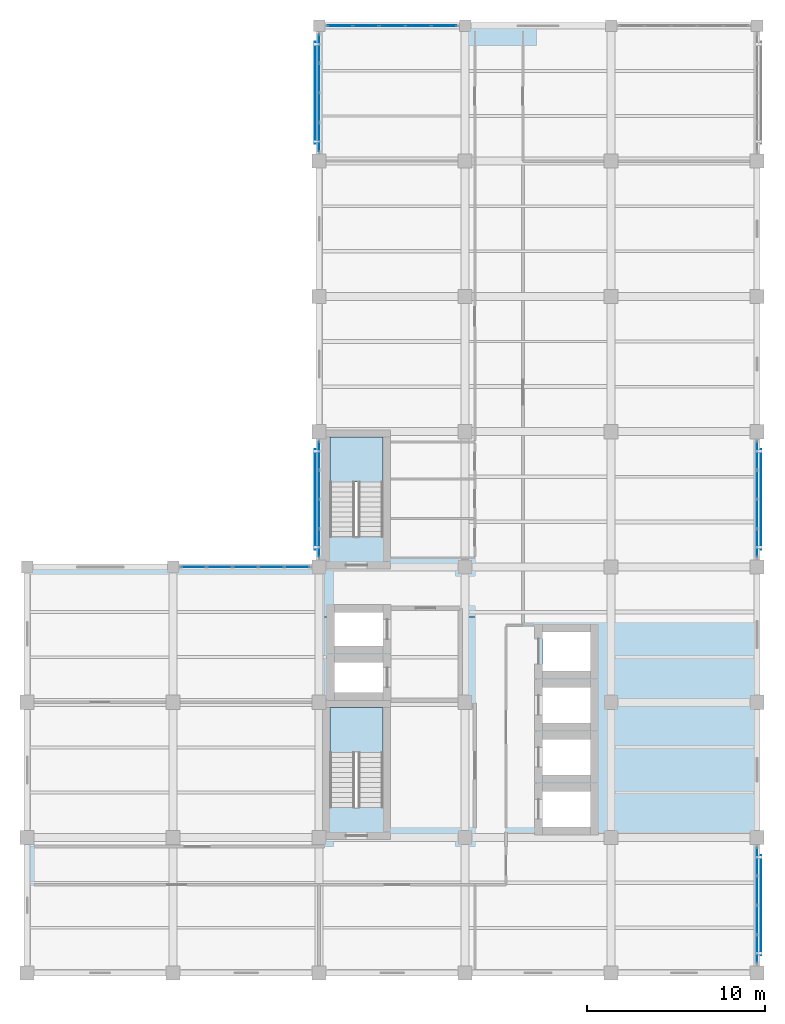
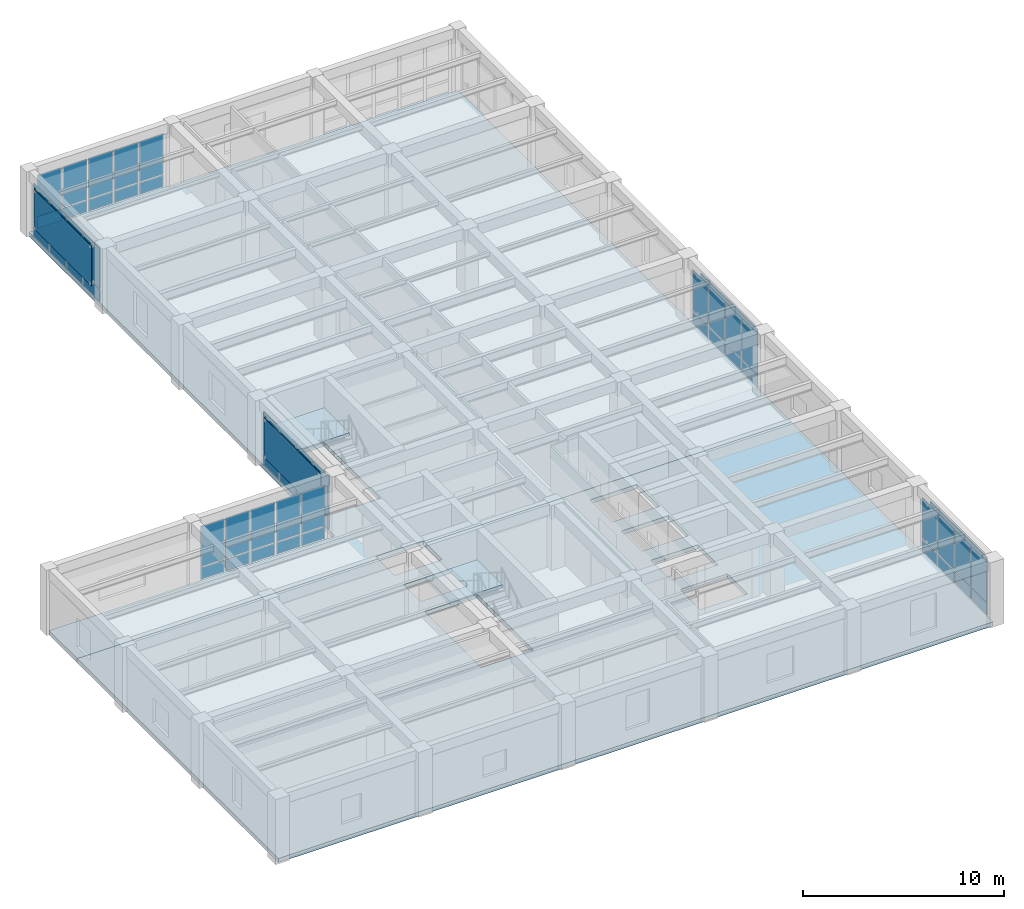
# One storey, part 6 of 14: 56 plates, 4 slabs, 8 elements without a shape of their own.
"""IFC4 building model written with IfcOpenShell, lengths in metres."""

from ifc_helpers import new_model, si_unit, direction, frame, origin, origin_2d, place, context, subcontext, project, spatial, polyline, rectangle, outline, extrude, material, layer, layer_set, type_object, element, aggregate, save


model = new_model("IFC4")

# Units and contexts
model_context = context("Model", 3, precision=1e-05, world=origin(), true_north=direction((0.0, 1.0)))
body_context = subcontext(model_context, "Body", "Model", "MODEL_VIEW")
ifc_project = project(units=[si_unit("LENGTHUNIT", "METRE"), si_unit("AREAUNIT", "SQUARE_METRE"), si_unit("VOLUMEUNIT", "CUBIC_METRE"), si_unit("PLANEANGLEUNIT", "RADIAN"), si_unit("MASSUNIT", "GRAM", prefix="KILO")], contexts=[model_context])

# Site, building, storey
site_placement = place(None, origin())
site = spatial("IfcSite", under=ifc_project, at=site_placement, CompositionType="ELEMENT")
building_placement = place(site_placement, origin())
building = spatial("IfcBuilding", under=site, at=building_placement, Name="Qandaris Square Conservatory and Botanical Centre", CompositionType="ELEMENT")
storey_placement = place(building_placement, frame((0.0, 0.0, 40.800048828125)))
storey = spatial("IfcBuildingStorey", under=building, at=storey_placement, Name="L09", CompositionType="ELEMENT", Elevation=40.800048828125)

# Curtain wall, plates
ifc_material_1 = material(Name="Anodised Aluminium", Category="aluminium")
curtain_wall_type_1 = type_object("IfcCurtainWallType", Name="Unitised Curtain Wall CW-4-660x334", PredefinedType="USERDEFINED", material=ifc_material_1)
curtain_wall_1_placement = place(storey_placement, origin())
curtain_wall_1 = element("IfcCurtainWall", 1, at=curtain_wall_1_placement, inside=storey, type_object=curtain_wall_type_1, Name="Curtain Wall CW-TWR-L09-2-1", ObjectType="GLAZED CURTAIN WALL", PredefinedType="USERDEFINED")
ifc_material_2 = material(Name="Tempered Low-E Glass", Category="glass")
ifc_layer_1 = layer(ifc_material_2, 0.035888671875)
ifc_layer_set_1 = layer_set([ifc_layer_1], Name="Tempered Low-E Glass")
plate_type_1 = type_object("IfcPlateType", Name="Double-Glazed Solar Control Vision Unit 36mm", PredefinedType="CURTAIN_PANEL", material=ifc_layer_set_1)
plate_1_placement = place(storey_placement, frame((163.800048828125, 17.941162109375, 0.06494140625), z_axis=(0.0, 0.0, 1.0), x_axis=(0.0, 1.0, 0.0)))
plate_1 = element("IfcPlate", 2, at=plate_1_placement, type_object=plate_type_1, Name="CW-4-660x334 panel 1.1", PredefinedType="CURTAIN_PANEL", context=body_context, shape_type="SweptSolid", body=[
    extrude(rectangle(XDim=1.552490234375, YDim=0.035888671875, at=origin_2d()), origin(), (0.0, 0.0, 1.0), 0.7041015625),
])
plate_2_placement = place(storey_placement, frame((163.800048828125, 17.941162109375, 0.833984375), z_axis=(0.0, 0.0, 1.0), x_axis=(0.0, 1.0, 0.0)))
plate_2 = element("IfcPlate", 3, at=plate_2_placement, type_object=plate_type_1, Name="CW-4-660x334 panel 1.2", PredefinedType="CURTAIN_PANEL", context=body_context, shape_type="SweptSolid", body=[
    extrude(rectangle(XDim=1.552490234375, YDim=0.035888671875, at=origin_2d()), origin(), (0.0, 0.0, 1.0), 2.44091796875),
])
plate_3_placement = place(storey_placement, frame((163.800048828125, 19.574951171875, 0.06494140625), z_axis=(0.0, 0.0, 1.0), x_axis=(0.0, 1.0, 0.0)))
plate_3 = element("IfcPlate", 4, at=plate_3_placement, type_object=plate_type_1, Name="CW-4-660x334 panel 2.1", PredefinedType="CURTAIN_PANEL", context=body_context, shape_type="SweptSolid", body=[
    extrude(rectangle(XDim=1.5849609375, YDim=0.035888671875, at=origin_2d()), origin(), (0.0, 0.0, 1.0), 0.7041015625),
])
plate_4_placement = place(storey_placement, frame((163.800048828125, 19.574951171875, 0.833984375), z_axis=(0.0, 0.0, 1.0), x_axis=(0.0, 1.0, 0.0)))
plate_4 = element("IfcPlate", 5, at=plate_4_placement, type_object=plate_type_1, Name="CW-4-660x334 panel 2.2", PredefinedType="CURTAIN_PANEL", context=body_context, shape_type="SweptSolid", body=[
    extrude(rectangle(XDim=1.5849609375, YDim=0.035888671875, at=origin_2d()), origin(), (0.0, 0.0, 1.0), 2.44091796875),
])
plate_5_placement = place(storey_placement, frame((163.800048828125, 21.22509765625, 0.06494140625), z_axis=(0.0, 0.0, 1.0), x_axis=(0.0, 1.0, 0.0)))
plate_5 = element("IfcPlate", 6, at=plate_5_placement, type_object=plate_type_1, Name="CW-4-660x334 panel 3.1", PredefinedType="CURTAIN_PANEL", context=body_context, shape_type="SweptSolid", body=[
    extrude(rectangle(XDim=1.5849609375, YDim=0.035888671875, at=origin_2d()), origin(), (0.0, 0.0, 1.0), 0.7041015625),
])
plate_6_placement = place(storey_placement, frame((163.800048828125, 21.22509765625, 0.833984375), z_axis=(0.0, 0.0, 1.0), x_axis=(0.0, 1.0, 0.0)))
plate_6 = element("IfcPlate", 7, at=plate_6_placement, type_object=plate_type_1, Name="CW-4-660x334 panel 3.2", PredefinedType="CURTAIN_PANEL", context=body_context, shape_type="SweptSolid", body=[
    extrude(rectangle(XDim=1.5849609375, YDim=0.035888671875, at=origin_2d()), origin(), (0.0, 0.0, 1.0), 2.44091796875),
])
plate_7_placement = place(storey_placement, frame((163.800048828125, 22.858642578125, 0.06494140625), z_axis=(0.0, 0.0, 1.0), x_axis=(0.0, 1.0, 0.0)))
plate_7 = element("IfcPlate", 8, at=plate_7_placement, type_object=plate_type_1, Name="CW-4-660x334 panel 4.1", PredefinedType="CURTAIN_PANEL", context=body_context, shape_type="SweptSolid", body=[
    extrude(rectangle(XDim=1.552490234375, YDim=0.035888671875, at=origin_2d()), origin(), (0.0, 0.0, 1.0), 0.7041015625),
])
plate_8_placement = place(storey_placement, frame((163.800048828125, 22.858642578125, 0.833984375), z_axis=(0.0, 0.0, 1.0), x_axis=(0.0, 1.0, 0.0)))
plate_8 = element("IfcPlate", 9, at=plate_8_placement, type_object=plate_type_1, Name="CW-4-660x334 panel 4.2", PredefinedType="CURTAIN_PANEL", context=body_context, shape_type="SweptSolid", body=[
    extrude(rectangle(XDim=1.552490234375, YDim=0.035888671875, at=origin_2d()), origin(), (0.0, 0.0, 1.0), 2.44091796875),
])
aggregate(curtain_wall_1, [plate_1, plate_2, plate_3, plate_4, plate_5, plate_6, plate_7, plate_8])

curtain_wall_2_placement = place(storey_placement, origin())
curtain_wall_2 = element("IfcCurtainWall", 10, at=curtain_wall_2_placement, inside=storey, type_object=curtain_wall_type_1, Name="Curtain Wall CW-TWR-L09-2-4", ObjectType="GLAZED CURTAIN WALL", PredefinedType="USERDEFINED")
plate_9_placement = place(storey_placement, frame((163.800048828125, 40.7412109375, 0.06494140625), z_axis=(0.0, 0.0, 1.0), x_axis=(0.0, 1.0, 0.0)))
plate_9 = element("IfcPlate", 11, at=plate_9_placement, type_object=plate_type_1, Name="CW-4-660x334 panel 1.1", PredefinedType="CURTAIN_PANEL", context=body_context, shape_type="SweptSolid", body=[
    extrude(rectangle(XDim=1.552490234375, YDim=0.035888671875, at=origin_2d()), origin(), (0.0, 0.0, 1.0), 0.7041015625),
])
plate_10_placement = place(storey_placement, frame((163.800048828125, 40.7412109375, 0.833984375), z_axis=(0.0, 0.0, 1.0), x_axis=(0.0, 1.0, 0.0)))
plate_10 = element("IfcPlate", 12, at=plate_10_placement, type_object=plate_type_1, Name="CW-4-660x334 panel 1.2", PredefinedType="CURTAIN_PANEL", context=body_context, shape_type="SweptSolid", body=[
    extrude(rectangle(XDim=1.552490234375, YDim=0.035888671875, at=origin_2d()), origin(), (0.0, 0.0, 1.0), 2.44091796875),
])
plate_11_placement = place(storey_placement, frame((163.800048828125, 42.375, 0.06494140625), z_axis=(0.0, 0.0, 1.0), x_axis=(0.0, 1.0, 0.0)))
plate_11 = element("IfcPlate", 13, at=plate_11_placement, type_object=plate_type_1, Name="CW-4-660x334 panel 2.1", PredefinedType="CURTAIN_PANEL", context=body_context, shape_type="SweptSolid", body=[
    extrude(rectangle(XDim=1.5849609375, YDim=0.035888671875, at=origin_2d()), origin(), (0.0, 0.0, 1.0), 0.7041015625),
])
plate_12_placement = place(storey_placement, frame((163.800048828125, 42.375, 0.833984375), z_axis=(0.0, 0.0, 1.0), x_axis=(0.0, 1.0, 0.0)))
plate_12 = element("IfcPlate", 14, at=plate_12_placement, type_object=plate_type_1, Name="CW-4-660x334 panel 2.2", PredefinedType="CURTAIN_PANEL", context=body_context, shape_type="SweptSolid", body=[
    extrude(rectangle(XDim=1.5849609375, YDim=0.035888671875, at=origin_2d()), origin(), (0.0, 0.0, 1.0), 2.44091796875),
])
plate_13_placement = place(storey_placement, frame((163.800048828125, 44.02490234375, 0.06494140625), z_axis=(0.0, 0.0, 1.0), x_axis=(0.0, 1.0, 0.0)))
plate_13 = element("IfcPlate", 15, at=plate_13_placement, type_object=plate_type_1, Name="CW-4-660x334 panel 3.1", PredefinedType="CURTAIN_PANEL", context=body_context, shape_type="SweptSolid", body=[
    extrude(rectangle(XDim=1.5849609375, YDim=0.035888671875, at=origin_2d()), origin(), (0.0, 0.0, 1.0), 0.7041015625),
])
plate_14_placement = place(storey_placement, frame((163.800048828125, 44.02490234375, 0.833984375), z_axis=(0.0, 0.0, 1.0), x_axis=(0.0, 1.0, 0.0)))
plate_14 = element("IfcPlate", 16, at=plate_14_placement, type_object=plate_type_1, Name="CW-4-660x334 panel 3.2", PredefinedType="CURTAIN_PANEL", context=body_context, shape_type="SweptSolid", body=[
    extrude(rectangle(XDim=1.5849609375, YDim=0.035888671875, at=origin_2d()), origin(), (0.0, 0.0, 1.0), 2.44091796875),
])
plate_15_placement = place(storey_placement, frame((163.800048828125, 45.65869140625, 0.06494140625), z_axis=(0.0, 0.0, 1.0), x_axis=(0.0, 1.0, 0.0)))
plate_15 = element("IfcPlate", 17, at=plate_15_placement, type_object=plate_type_1, Name="CW-4-660x334 panel 4.1", PredefinedType="CURTAIN_PANEL", context=body_context, shape_type="SweptSolid", body=[
    extrude(rectangle(XDim=1.552490234375, YDim=0.035888671875, at=origin_2d()), origin(), (0.0, 0.0, 1.0), 0.7041015625),
])
plate_16_placement = place(storey_placement, frame((163.800048828125, 45.65869140625, 0.833984375), z_axis=(0.0, 0.0, 1.0), x_axis=(0.0, 1.0, 0.0)))
plate_16 = element("IfcPlate", 18, at=plate_16_placement, type_object=plate_type_1, Name="CW-4-660x334 panel 4.2", PredefinedType="CURTAIN_PANEL", context=body_context, shape_type="SweptSolid", body=[
    extrude(rectangle(XDim=1.552490234375, YDim=0.035888671875, at=origin_2d()), origin(), (0.0, 0.0, 1.0), 2.44091796875),
])
aggregate(curtain_wall_2, [plate_9, plate_10, plate_11, plate_12, plate_13, plate_14, plate_15, plate_16])

curtain_wall_type_2 = type_object("IfcCurtainWallType", Name="Unitised Curtain Wall CW-3-735x334", PredefinedType="USERDEFINED", material=ifc_material_1)
curtain_wall_3_placement = place(storey_placement, origin())
curtain_wall_3 = element("IfcCurtainWall", 19, at=curtain_wall_3_placement, inside=storey, type_object=curtain_wall_type_2, Name="Curtain Wall CW-TWR-L09-3-3", ObjectType="GLAZED CURTAIN WALL", PredefinedType="USERDEFINED")
plate_17_placement = place(storey_placement, frame((146.2236328125, 69.800048828125, 0.06494140625), z_axis=(0.0, 0.0, 1.0), x_axis=(-1.0, 0.0, 0.0)))
plate_17 = element("IfcPlate", 20, at=plate_17_placement, type_object=plate_type_1, Name="CW-3-735x334 panel 1.1", PredefinedType="CURTAIN_PANEL", context=body_context, shape_type="SweptSolid", body=[
    extrude(rectangle(XDim=1.37255859375, YDim=0.035888671875, at=origin_2d()), origin(), (0.0, 0.0, 1.0), 0.7041015625),
])
plate_18_placement = place(storey_placement, frame((146.2236328125, 69.800048828125, 0.833984375), z_axis=(0.0, 0.0, 1.0), x_axis=(-1.0, 0.0, 0.0)))
plate_18 = element("IfcPlate", 21, at=plate_18_placement, type_object=plate_type_1, Name="CW-3-735x334 panel 1.2", PredefinedType="CURTAIN_PANEL", context=body_context, shape_type="SweptSolid", body=[
    extrude(rectangle(XDim=1.37255859375, YDim=0.035888671875, at=origin_2d()), origin(), (0.0, 0.0, 1.0), 2.44091796875),
])
plate_19_placement = place(storey_placement, frame((144.77001953125, 69.800048828125, 0.06494140625), z_axis=(0.0, 0.0, 1.0), x_axis=(-1.0, 0.0, 0.0)))
plate_19 = element("IfcPlate", 22, at=plate_19_placement, type_object=plate_type_1, Name="CW-3-735x334 panel 2.1", PredefinedType="CURTAIN_PANEL", context=body_context, shape_type="SweptSolid", body=[
    extrude(rectangle(XDim=1.405029296875, YDim=0.035888671875, at=origin_2d()), origin(), (0.0, 0.0, 1.0), 0.7041015625),
])
plate_20_placement = place(storey_placement, frame((144.77001953125, 69.800048828125, 0.833984375), z_axis=(0.0, 0.0, 1.0), x_axis=(-1.0, 0.0, 0.0)))
plate_20 = element("IfcPlate", 23, at=plate_20_placement, type_object=plate_type_1, Name="CW-3-735x334 panel 2.2", PredefinedType="CURTAIN_PANEL", context=body_context, shape_type="SweptSolid", body=[
    extrude(rectangle(XDim=1.405029296875, YDim=0.035888671875, at=origin_2d()), origin(), (0.0, 0.0, 1.0), 2.44091796875),
])
plate_21_placement = place(storey_placement, frame((143.300048828125, 69.800048828125, 0.06494140625), z_axis=(0.0, 0.0, 1.0), x_axis=(-1.0, 0.0, 0.0)))
plate_21 = element("IfcPlate", 24, at=plate_21_placement, type_object=plate_type_1, Name="CW-3-735x334 panel 3.1", PredefinedType="CURTAIN_PANEL", context=body_context, shape_type="SweptSolid", body=[
    extrude(rectangle(XDim=1.405029296875, YDim=0.035888671875, at=origin_2d()), origin(), (0.0, 0.0, 1.0), 0.7041015625),
])
plate_22_placement = place(storey_placement, frame((143.300048828125, 69.800048828125, 0.833984375), z_axis=(0.0, 0.0, 1.0), x_axis=(-1.0, 0.0, 0.0)))
plate_22 = element("IfcPlate", 25, at=plate_22_placement, type_object=plate_type_1, Name="CW-3-735x334 panel 3.2", PredefinedType="CURTAIN_PANEL", context=body_context, shape_type="SweptSolid", body=[
    extrude(rectangle(XDim=1.405029296875, YDim=0.035888671875, at=origin_2d()), origin(), (0.0, 0.0, 1.0), 2.44091796875),
])
plate_23_placement = place(storey_placement, frame((141.830078125, 69.800048828125, 0.06494140625), z_axis=(0.0, 0.0, 1.0), x_axis=(-1.0, 0.0, 0.0)))
plate_23 = element("IfcPlate", 26, at=plate_23_placement, type_object=plate_type_1, Name="CW-3-735x334 panel 4.1", PredefinedType="CURTAIN_PANEL", context=body_context, shape_type="SweptSolid", body=[
    extrude(rectangle(XDim=1.405029296875, YDim=0.035888671875, at=origin_2d()), origin(), (0.0, 0.0, 1.0), 0.7041015625),
])
plate_24_placement = place(storey_placement, frame((141.830078125, 69.800048828125, 0.833984375), z_axis=(0.0, 0.0, 1.0), x_axis=(-1.0, 0.0, 0.0)))
plate_24 = element("IfcPlate", 27, at=plate_24_placement, type_object=plate_type_1, Name="CW-3-735x334 panel 4.2", PredefinedType="CURTAIN_PANEL", context=body_context, shape_type="SweptSolid", body=[
    extrude(rectangle(XDim=1.405029296875, YDim=0.035888671875, at=origin_2d()), origin(), (0.0, 0.0, 1.0), 2.44091796875),
])
plate_25_placement = place(storey_placement, frame((140.376220703125, 69.800048828125, 0.06494140625), z_axis=(0.0, 0.0, 1.0), x_axis=(-1.0, 0.0, 0.0)))
plate_25 = element("IfcPlate", 28, at=plate_25_placement, type_object=plate_type_1, Name="CW-3-735x334 panel 5.1", PredefinedType="CURTAIN_PANEL", context=body_context, shape_type="SweptSolid", body=[
    extrude(rectangle(XDim=1.37255859375, YDim=0.035888671875, at=origin_2d()), origin(), (0.0, 0.0, 1.0), 0.7041015625),
])
plate_26_placement = place(storey_placement, frame((140.376220703125, 69.800048828125, 0.833984375), z_axis=(0.0, 0.0, 1.0), x_axis=(-1.0, 0.0, 0.0)))
plate_26 = element("IfcPlate", 29, at=plate_26_placement, type_object=plate_type_1, Name="CW-3-735x334 panel 5.2", PredefinedType="CURTAIN_PANEL", context=body_context, shape_type="SweptSolid", body=[
    extrude(rectangle(XDim=1.37255859375, YDim=0.035888671875, at=origin_2d()), origin(), (0.0, 0.0, 1.0), 2.44091796875),
])
aggregate(curtain_wall_3, [plate_17, plate_18, plate_19, plate_20, plate_21, plate_22, plate_23, plate_24, plate_25, plate_26])

curtain_wall_type_3 = type_object("IfcCurtainWallType", Name="Unitised Curtain Wall CW-4-667x334", PredefinedType="USERDEFINED", material=ifc_material_1)
curtain_wall_4_placement = place(storey_placement, origin())
curtain_wall_4 = element("IfcCurtainWall", 30, at=curtain_wall_4_placement, inside=storey, type_object=curtain_wall_type_3, Name="Curtain Wall CW-TWR-L09-4-1", ObjectType="GLAZED CURTAIN WALL", PredefinedType="USERDEFINED")
plate_27_placement = place(storey_placement, frame((139.199951171875, 68.5244140625, 0.06494140625), z_axis=(0.0, 0.0, 1.0), x_axis=(0.0, -1.0, 0.0)))
plate_27 = element("IfcPlate", 31, at=plate_27_placement, type_object=plate_type_1, Name="CW-4-667x334 panel 1.1", PredefinedType="CURTAIN_PANEL", context=body_context, shape_type="SweptSolid", body=[
    extrude(rectangle(XDim=1.5712890625, YDim=0.035888671875, at=origin_2d()), origin(), (0.0, 0.0, 1.0), 0.7041015625),
])
plate_28_placement = place(storey_placement, frame((139.199951171875, 68.5244140625, 0.833984375), z_axis=(0.0, 0.0, 1.0), x_axis=(0.0, -1.0, 0.0)))
plate_28 = element("IfcPlate", 32, at=plate_28_placement, type_object=plate_type_1, Name="CW-4-667x334 panel 1.2", PredefinedType="CURTAIN_PANEL", context=body_context, shape_type="SweptSolid", body=[
    extrude(rectangle(XDim=1.5712890625, YDim=0.035888671875, at=origin_2d()), origin(), (0.0, 0.0, 1.0), 2.44091796875),
])
plate_29_placement = place(storey_placement, frame((139.199951171875, 66.871826171875, 0.06494140625), z_axis=(0.0, 0.0, 1.0), x_axis=(0.0, -1.0, 0.0)))
plate_29 = element("IfcPlate", 33, at=plate_29_placement, type_object=plate_type_1, Name="CW-4-667x334 panel 2.1", PredefinedType="CURTAIN_PANEL", context=body_context, shape_type="SweptSolid", body=[
    extrude(rectangle(XDim=1.603759765625, YDim=0.035888671875, at=origin_2d()), origin(), (0.0, 0.0, 1.0), 0.7041015625),
])
plate_30_placement = place(storey_placement, frame((139.199951171875, 66.871826171875, 0.833984375), z_axis=(0.0, 0.0, 1.0), x_axis=(0.0, -1.0, 0.0)))
plate_30 = element("IfcPlate", 34, at=plate_30_placement, type_object=plate_type_1, Name="CW-4-667x334 panel 2.2", PredefinedType="CURTAIN_PANEL", context=body_context, shape_type="SweptSolid", body=[
    extrude(rectangle(XDim=1.603759765625, YDim=0.035888671875, at=origin_2d()), origin(), (0.0, 0.0, 1.0), 2.44091796875),
])
plate_31_placement = place(storey_placement, frame((139.199951171875, 65.203125, 0.06494140625), z_axis=(0.0, 0.0, 1.0), x_axis=(0.0, -1.0, 0.0)))
plate_31 = element("IfcPlate", 35, at=plate_31_placement, type_object=plate_type_1, Name="CW-4-667x334 panel 3.1", PredefinedType="CURTAIN_PANEL", context=body_context, shape_type="SweptSolid", body=[
    extrude(rectangle(XDim=1.603759765625, YDim=0.035888671875, at=origin_2d()), origin(), (0.0, 0.0, 1.0), 0.7041015625),
])
plate_32_placement = place(storey_placement, frame((139.199951171875, 65.203125, 0.833984375), z_axis=(0.0, 0.0, 1.0), x_axis=(0.0, -1.0, 0.0)))
plate_32 = element("IfcPlate", 36, at=plate_32_placement, type_object=plate_type_1, Name="CW-4-667x334 panel 3.2", PredefinedType="CURTAIN_PANEL", context=body_context, shape_type="SweptSolid", body=[
    extrude(rectangle(XDim=1.603759765625, YDim=0.035888671875, at=origin_2d()), origin(), (0.0, 0.0, 1.0), 2.44091796875),
])
plate_33_placement = place(storey_placement, frame((139.199951171875, 63.550537109375, 0.06494140625), z_axis=(0.0, 0.0, 1.0), x_axis=(0.0, -1.0, 0.0)))
plate_33 = element("IfcPlate", 37, at=plate_33_placement, type_object=plate_type_1, Name="CW-4-667x334 panel 4.1", PredefinedType="CURTAIN_PANEL", context=body_context, shape_type="SweptSolid", body=[
    extrude(rectangle(XDim=1.5712890625, YDim=0.035888671875, at=origin_2d()), origin(), (0.0, 0.0, 1.0), 0.7041015625),
])
plate_34_placement = place(storey_placement, frame((139.199951171875, 63.550537109375, 0.833984375), z_axis=(0.0, 0.0, 1.0), x_axis=(0.0, -1.0, 0.0)))
plate_34 = element("IfcPlate", 38, at=plate_34_placement, type_object=plate_type_1, Name="CW-4-667x334 panel 4.2", PredefinedType="CURTAIN_PANEL", context=body_context, shape_type="SweptSolid", body=[
    extrude(rectangle(XDim=1.5712890625, YDim=0.035888671875, at=origin_2d()), origin(), (0.0, 0.0, 1.0), 2.44091796875),
])
aggregate(curtain_wall_4, [plate_27, plate_28, plate_29, plate_30, plate_31, plate_32, plate_33, plate_34])

curtain_wall_5_placement = place(storey_placement, origin())
curtain_wall_5 = element("IfcCurtainWall", 39, at=curtain_wall_5_placement, inside=storey, type_object=curtain_wall_type_1, Name="Curtain Wall CW-TWR-L09-4-4", ObjectType="GLAZED CURTAIN WALL", PredefinedType="USERDEFINED")
plate_35_placement = place(storey_placement, frame((139.199951171875, 45.65869140625, 0.06494140625), z_axis=(0.0, 0.0, 1.0), x_axis=(0.0, -1.0, 0.0)))
plate_35 = element("IfcPlate", 40, at=plate_35_placement, type_object=plate_type_1, Name="CW-4-660x334 panel 1.1", PredefinedType="CURTAIN_PANEL", context=body_context, shape_type="SweptSolid", body=[
    extrude(rectangle(XDim=1.552490234375, YDim=0.035888671875, at=origin_2d()), origin(), (0.0, 0.0, 1.0), 0.7041015625),
])
plate_36_placement = place(storey_placement, frame((139.199951171875, 45.65869140625, 0.833984375), z_axis=(0.0, 0.0, 1.0), x_axis=(0.0, -1.0, 0.0)))
plate_36 = element("IfcPlate", 41, at=plate_36_placement, type_object=plate_type_1, Name="CW-4-660x334 panel 1.2", PredefinedType="CURTAIN_PANEL", context=body_context, shape_type="SweptSolid", body=[
    extrude(rectangle(XDim=1.552490234375, YDim=0.035888671875, at=origin_2d()), origin(), (0.0, 0.0, 1.0), 2.44091796875),
])
plate_37_placement = place(storey_placement, frame((139.199951171875, 44.02490234375, 0.06494140625), z_axis=(0.0, 0.0, 1.0), x_axis=(0.0, -1.0, 0.0)))
plate_37 = element("IfcPlate", 42, at=plate_37_placement, type_object=plate_type_1, Name="CW-4-660x334 panel 2.1", PredefinedType="CURTAIN_PANEL", context=body_context, shape_type="SweptSolid", body=[
    extrude(rectangle(XDim=1.5849609375, YDim=0.035888671875, at=origin_2d()), origin(), (0.0, 0.0, 1.0), 0.7041015625),
])
plate_38_placement = place(storey_placement, frame((139.199951171875, 44.02490234375, 0.833984375), z_axis=(0.0, 0.0, 1.0), x_axis=(0.0, -1.0, 0.0)))
plate_38 = element("IfcPlate", 43, at=plate_38_placement, type_object=plate_type_1, Name="CW-4-660x334 panel 2.2", PredefinedType="CURTAIN_PANEL", context=body_context, shape_type="SweptSolid", body=[
    extrude(rectangle(XDim=1.5849609375, YDim=0.035888671875, at=origin_2d()), origin(), (0.0, 0.0, 1.0), 2.44091796875),
])
plate_39_placement = place(storey_placement, frame((139.199951171875, 42.375, 0.06494140625), z_axis=(0.0, 0.0, 1.0), x_axis=(0.0, -1.0, 0.0)))
plate_39 = element("IfcPlate", 44, at=plate_39_placement, type_object=plate_type_1, Name="CW-4-660x334 panel 3.1", PredefinedType="CURTAIN_PANEL", context=body_context, shape_type="SweptSolid", body=[
    extrude(rectangle(XDim=1.5849609375, YDim=0.035888671875, at=origin_2d()), origin(), (0.0, 0.0, 1.0), 0.7041015625),
])
plate_40_placement = place(storey_placement, frame((139.199951171875, 42.375, 0.833984375), z_axis=(0.0, 0.0, 1.0), x_axis=(0.0, -1.0, 0.0)))
plate_40 = element("IfcPlate", 45, at=plate_40_placement, type_object=plate_type_1, Name="CW-4-660x334 panel 3.2", PredefinedType="CURTAIN_PANEL", context=body_context, shape_type="SweptSolid", body=[
    extrude(rectangle(XDim=1.5849609375, YDim=0.035888671875, at=origin_2d()), origin(), (0.0, 0.0, 1.0), 2.44091796875),
])
plate_41_placement = place(storey_placement, frame((139.199951171875, 40.7412109375, 0.06494140625), z_axis=(0.0, 0.0, 1.0), x_axis=(0.0, -1.0, 0.0)))
plate_41 = element("IfcPlate", 46, at=plate_41_placement, type_object=plate_type_1, Name="CW-4-660x334 panel 4.1", PredefinedType="CURTAIN_PANEL", context=body_context, shape_type="SweptSolid", body=[
    extrude(rectangle(XDim=1.552490234375, YDim=0.035888671875, at=origin_2d()), origin(), (0.0, 0.0, 1.0), 0.7041015625),
])
plate_42_placement = place(storey_placement, frame((139.199951171875, 40.7412109375, 0.833984375), z_axis=(0.0, 0.0, 1.0), x_axis=(0.0, -1.0, 0.0)))
plate_42 = element("IfcPlate", 47, at=plate_42_placement, type_object=plate_type_1, Name="CW-4-660x334 panel 4.2", PredefinedType="CURTAIN_PANEL", context=body_context, shape_type="SweptSolid", body=[
    extrude(rectangle(XDim=1.552490234375, YDim=0.035888671875, at=origin_2d()), origin(), (0.0, 0.0, 1.0), 2.44091796875),
])
aggregate(curtain_wall_5, [plate_35, plate_36, plate_37, plate_38, plate_39, plate_40, plate_41, plate_42])

curtain_wall_type_4 = type_object("IfcCurtainWallType", Name="Unitised Curtain Wall CW-4-727x334", PredefinedType="USERDEFINED", material=ifc_material_1)
curtain_wall_6_placement = place(storey_placement, origin())
curtain_wall_6 = element("IfcCurtainWall", 48, at=curtain_wall_6_placement, inside=storey, type_object=curtain_wall_type_4, Name="Curtain Wall CW-TWR-L09-5-1", ObjectType="GLAZED CURTAIN WALL", PredefinedType="USERDEFINED")
plate_43_placement = place(storey_placement, frame((137.956298828125, 39.39990234375, 0.06494140625), z_axis=(0.0, 0.0, 1.0), x_axis=(-1.0, 0.0, 0.0)))
plate_43 = element("IfcPlate", 49, at=plate_43_placement, type_object=plate_type_1, Name="CW-4-727x334 panel 1.1", PredefinedType="CURTAIN_PANEL", context=body_context, shape_type="SweptSolid", body=[
    extrude(rectangle(XDim=1.357421875, YDim=0.035888671875, at=origin_2d()), origin(), (0.0, 0.0, 1.0), 0.7041015625),
])
plate_44_placement = place(storey_placement, frame((137.956298828125, 39.39990234375, 0.833984375), z_axis=(0.0, 0.0, 1.0), x_axis=(-1.0, 0.0, 0.0)))
plate_44 = element("IfcPlate", 50, at=plate_44_placement, type_object=plate_type_1, Name="CW-4-727x334 panel 1.2", PredefinedType="CURTAIN_PANEL", context=body_context, shape_type="SweptSolid", body=[
    extrude(rectangle(XDim=1.357421875, YDim=0.035888671875, at=origin_2d()), origin(), (0.0, 0.0, 1.0), 2.44091796875),
])
plate_45_placement = place(storey_placement, frame((136.517578125, 39.39990234375, 0.06494140625), z_axis=(0.0, 0.0, 1.0), x_axis=(-1.0, 0.0, 0.0)))
plate_45 = element("IfcPlate", 51, at=plate_45_placement, type_object=plate_type_1, Name="CW-4-727x334 panel 2.1", PredefinedType="CURTAIN_PANEL", context=body_context, shape_type="SweptSolid", body=[
    extrude(rectangle(XDim=1.389892578125, YDim=0.035888671875, at=origin_2d()), origin(), (0.0, 0.0, 1.0), 0.7041015625),
])
plate_46_placement = place(storey_placement, frame((136.517578125, 39.39990234375, 0.833984375), z_axis=(0.0, 0.0, 1.0), x_axis=(-1.0, 0.0, 0.0)))
plate_46 = element("IfcPlate", 52, at=plate_46_placement, type_object=plate_type_1, Name="CW-4-727x334 panel 2.2", PredefinedType="CURTAIN_PANEL", context=body_context, shape_type="SweptSolid", body=[
    extrude(rectangle(XDim=1.389892578125, YDim=0.035888671875, at=origin_2d()), origin(), (0.0, 0.0, 1.0), 2.44091796875),
])
plate_47_placement = place(storey_placement, frame((135.0625, 39.39990234375, 0.06494140625), z_axis=(0.0, 0.0, 1.0), x_axis=(-1.0, 0.0, 0.0)))
plate_47 = element("IfcPlate", 53, at=plate_47_placement, type_object=plate_type_1, Name="CW-4-727x334 panel 3.1", PredefinedType="CURTAIN_PANEL", context=body_context, shape_type="SweptSolid", body=[
    extrude(rectangle(XDim=1.389892578125, YDim=0.035888671875, at=origin_2d()), origin(), (0.0, 0.0, 1.0), 0.7041015625),
])
plate_48_placement = place(storey_placement, frame((135.0625, 39.39990234375, 0.833984375), z_axis=(0.0, 0.0, 1.0), x_axis=(-1.0, 0.0, 0.0)))
plate_48 = element("IfcPlate", 54, at=plate_48_placement, type_object=plate_type_1, Name="CW-4-727x334 panel 3.2", PredefinedType="CURTAIN_PANEL", context=body_context, shape_type="SweptSolid", body=[
    extrude(rectangle(XDim=1.389892578125, YDim=0.035888671875, at=origin_2d()), origin(), (0.0, 0.0, 1.0), 2.44091796875),
])
plate_49_placement = place(storey_placement, frame((133.607421875, 39.39990234375, 0.06494140625), z_axis=(0.0, 0.0, 1.0), x_axis=(-1.0, 0.0, 0.0)))
plate_49 = element("IfcPlate", 55, at=plate_49_placement, type_object=plate_type_1, Name="CW-4-727x334 panel 4.1", PredefinedType="CURTAIN_PANEL", context=body_context, shape_type="SweptSolid", body=[
    extrude(rectangle(XDim=1.389892578125, YDim=0.035888671875, at=origin_2d()), origin(), (0.0, 0.0, 1.0), 0.7041015625),
])
plate_50_placement = place(storey_placement, frame((133.607421875, 39.39990234375, 0.833984375), z_axis=(0.0, 0.0, 1.0), x_axis=(-1.0, 0.0, 0.0)))
plate_50 = element("IfcPlate", 56, at=plate_50_placement, type_object=plate_type_1, Name="CW-4-727x334 panel 4.2", PredefinedType="CURTAIN_PANEL", context=body_context, shape_type="SweptSolid", body=[
    extrude(rectangle(XDim=1.389892578125, YDim=0.035888671875, at=origin_2d()), origin(), (0.0, 0.0, 1.0), 2.44091796875),
])
plate_51_placement = place(storey_placement, frame((132.168701171875, 39.39990234375, 0.06494140625), z_axis=(0.0, 0.0, 1.0), x_axis=(-1.0, 0.0, 0.0)))
plate_51 = element("IfcPlate", 57, at=plate_51_placement, type_object=plate_type_1, Name="CW-4-727x334 panel 5.1", PredefinedType="CURTAIN_PANEL", context=body_context, shape_type="SweptSolid", body=[
    extrude(rectangle(XDim=1.357421875, YDim=0.035888671875, at=origin_2d()), origin(), (0.0, 0.0, 1.0), 0.7041015625),
])
plate_52_placement = place(storey_placement, frame((132.168701171875, 39.39990234375, 0.833984375), z_axis=(0.0, 0.0, 1.0), x_axis=(-1.0, 0.0, 0.0)))
plate_52 = element("IfcPlate", 58, at=plate_52_placement, type_object=plate_type_1, Name="CW-4-727x334 panel 5.2", PredefinedType="CURTAIN_PANEL", context=body_context, shape_type="SweptSolid", body=[
    extrude(rectangle(XDim=1.357421875, YDim=0.035888671875, at=origin_2d()), origin(), (0.0, 0.0, 1.0), 2.44091796875),
])
aggregate(curtain_wall_6, [plate_43, plate_44, plate_45, plate_46, plate_47, plate_48, plate_49, plate_50, plate_51, plate_52])

# Plates
ifc_material_3 = material(Name="Weathering Bronze Alloy", Category="metal")
ifc_layer_2 = layer(ifc_material_3, 0.044921875)
ifc_layer_set_2 = layer_set([ifc_layer_2], Name="Weathering Bronze Alloy")
plate_type_2 = type_object("IfcPlateType", Name="Perforated Bronze Mashrabiya Solar Screen Panel", PredefinedType="USERDEFINED", material=ifc_layer_set_2)
for number, where, z_axis, x_axis, name in (
    (59, (164.02001953125, 20.39990234375, 0.83154296875), (0.0, 0.0, 1.0), (0.0, 1.0, 0.0), "Mashrabiya Solar Screen CW-TWR-L09-2-1"),
    (60, (164.02001953125, 43.199951171875, 0.83154296875), (0.0, 0.0, 1.0), (0.0, 1.0, 0.0), "Mashrabiya Solar Screen CW-TWR-L09-2-4"),
):
    element("IfcPlate", number, at=place(storey_placement, frame(where, z_axis=z_axis, x_axis=x_axis)), inside=storey, type_object=plate_type_2, Name=name, ObjectType="SOLAR SCREEN", PredefinedType="USERDEFINED", context=body_context, shape_type="SweptSolid", body=[
        extrude(rectangle(XDim=5.639892578125, YDim=0.044921875, at=origin_2d()), origin(), (0.0, 0.0, 1.0), 2.41845703125),
    ])
plate_53_placement = place(storey_placement, frame((138.97998046875, 66.03759765625, 0.83154296875), z_axis=(0.0, 0.0, 1.0), x_axis=(0.0, -1.0, 0.0)))
element("IfcPlate", 61, at=plate_53_placement, inside=storey, type_object=plate_type_2, Name="Mashrabiya Solar Screen CW-TWR-L09-4-1", ObjectType="SOLAR SCREEN", PredefinedType="USERDEFINED", context=body_context, shape_type="SweptSolid", body=[
    extrude(rectangle(XDim=5.715087890625, YDim=0.044921875, at=origin_2d()), origin(), (0.0, 0.0, 1.0), 2.41845703125),
])
plate_54_placement = place(storey_placement, frame((138.97998046875, 43.199951171875, 0.83154296875), z_axis=(0.0, 0.0, 1.0), x_axis=(0.0, -1.0, 0.0)))
element("IfcPlate", 62, at=plate_54_placement, inside=storey, type_object=plate_type_2, Name="Mashrabiya Solar Screen CW-TWR-L09-4-4", ObjectType="SOLAR SCREEN", PredefinedType="USERDEFINED", context=body_context, shape_type="SweptSolid", body=[
    extrude(rectangle(XDim=5.639892578125, YDim=0.044921875, at=origin_2d()), origin(), (0.0, 0.0, 1.0), 2.41845703125),
])

# Stair, slab
ifc_material_4 = material(Name="Concrete C40/50", Category="concrete")
stair_type = type_object("IfcStairType", Name="Core Escape Scissor Stair", PredefinedType="HALF_TURN_STAIR", material=ifc_material_4)
stair_1_placement = place(storey_placement, origin())
stair_1 = element("IfcStair", 63, at=stair_1_placement, inside=storey, type_object=stair_type, Name="L09 Tower South Exit Stair ST-1", PredefinedType="HALF_TURN_STAIR")
ifc_layer_3 = layer(ifc_material_4, 0.219970703125)
ifc_layer_set_3 = layer_set([ifc_layer_3], Name="Concrete C40/50")
slab_type_1 = type_object("IfcSlabType", Name="RC Stair Half-Landing Slab 220mm", PredefinedType="LANDING", material=ifc_layer_set_3)
slab_1_placement = place(storey_placement, frame((0.0, 0.0, 1.89990234375)))
slab_1 = element("IfcSlab", 64, at=slab_1_placement, type_object=slab_type_1, Name="ST-1 landing 1", PredefinedType="LANDING", context=body_context, shape_type="SweptSolid", body=[
    extrude(outline(polyline([(142.800048828125, 28.97998046875), (142.800048828125, 31.5), (139.800048828125, 31.5), (139.800048828125, 28.97998046875), (142.800048828125, 28.97998046875)])), origin(), (0.0, 0.0, 1.0), 0.199951171875),
])
aggregate(stair_1, [slab_1])

stair_2_placement = place(storey_placement, origin())
stair_2 = element("IfcStair", 65, at=stair_2_placement, inside=storey, type_object=stair_type, Name="L09 Tower North Exit Stair ST-2", PredefinedType="HALF_TURN_STAIR")
slab_2_placement = place(storey_placement, frame((0.0, 0.0, 1.89990234375)))
slab_2 = element("IfcSlab", 66, at=slab_2_placement, type_object=slab_type_1, Name="ST-2 landing 1", PredefinedType="LANDING", context=body_context, shape_type="SweptSolid", body=[
    extrude(outline(polyline([(142.800048828125, 44.179931640625), (142.800048828125, 46.699951171875), (139.800048828125, 46.699951171875), (139.800048828125, 44.179931640625), (142.800048828125, 44.179931640625)])), origin(), (0.0, 0.0, 1.0), 0.199951171875),
])
aggregate(stair_2, [slab_2])

# Slabs
ifc_layer_4 = layer(ifc_material_4, 0.25)
ifc_layer_set_4 = layer_set([ifc_layer_4], Name="Concrete C40/50")
slab_type_2 = type_object("IfcSlabType", Name="RC Structural Slab 250mm", PredefinedType="FLOOR", material=ifc_layer_set_4)
slab_3_placement = place(storey_placement, frame((0.0, 0.0, -0.25)))
element("IfcSlab", 67, at=slab_3_placement, inside=storey, type_object=slab_type_2, Name="L09 Structural Slab V4L09", PredefinedType="FLOOR", context=body_context, shape_type="SweptSolid", body=[
    extrude(outline(polyline([(163.800048828125, 16.60009765625), (122.800048828125, 16.60009765625), (122.800048828125, 36.60009765625), (140.06005859375, 36.60009765625), (140.06005859375, 34.9599609375), (142.800048828125, 34.9599609375), (142.800048828125, 36.60009765625), (163.800048828125, 36.60009765625), (163.800048828125, 16.60009765625)]), holes=[polyline([(151.75, 24.800048828125), (154.449951171875, 24.800048828125), (154.449951171875, 26.800048828125), (151.75, 26.800048828125), (151.75, 24.800048828125)]), polyline([(139.800048828125, 25.89990234375), (142.800048828125, 25.89990234375), (142.800048828125, 31.5), (139.800048828125, 31.5), (139.800048828125, 25.89990234375)]), polyline([(151.75, 27.719970703125), (154.449951171875, 27.719970703125), (154.449951171875, 29.719970703125), (151.75, 29.719970703125), (151.75, 27.719970703125)]), polyline([(151.75, 30.639892578125), (154.449951171875, 30.639892578125), (154.449951171875, 32.639892578125), (151.75, 32.639892578125), (151.75, 30.639892578125)]), polyline([(140.06005859375, 32.360107421875), (142.800048828125, 32.360107421875), (142.800048828125, 34.0400390625), (140.06005859375, 34.0400390625), (140.06005859375, 32.360107421875)]), polyline([(151.75, 33.56005859375), (154.449951171875, 33.56005859375), (154.449951171875, 35.760009765625), (151.75, 35.760009765625), (151.75, 33.56005859375)])]), origin(), (0.0, 0.0, 1.0), 0.25),
])
slab_4_placement = place(storey_placement, frame((0.0, 0.0, -0.25)))
element("IfcSlab", 68, at=slab_4_placement, inside=storey, type_object=slab_type_2, Name="L09 Structural Slab V4L09", PredefinedType="FLOOR", context=body_context, shape_type="SweptSolid", body=[
    extrude(outline(polyline([(139.199951171875, 39.39990234375), (139.199951171875, 69.800048828125), (163.800048828125, 69.800048828125), (163.800048828125, 36.60009765625), (142.800048828125, 36.60009765625), (142.800048828125, 36.840087890625), (140.06005859375, 36.840087890625), (140.06005859375, 36.60009765625), (122.800048828125, 36.60009765625), (122.800048828125, 39.39990234375), (139.199951171875, 39.39990234375)]), holes=[polyline([(139.800048828125, 41.10009765625), (142.800048828125, 41.10009765625), (142.800048828125, 46.699951171875), (139.800048828125, 46.699951171875), (139.800048828125, 41.10009765625)])]), origin(), (0.0, 0.0, 1.0), 0.25),
])

save(model, "model.ifc")
